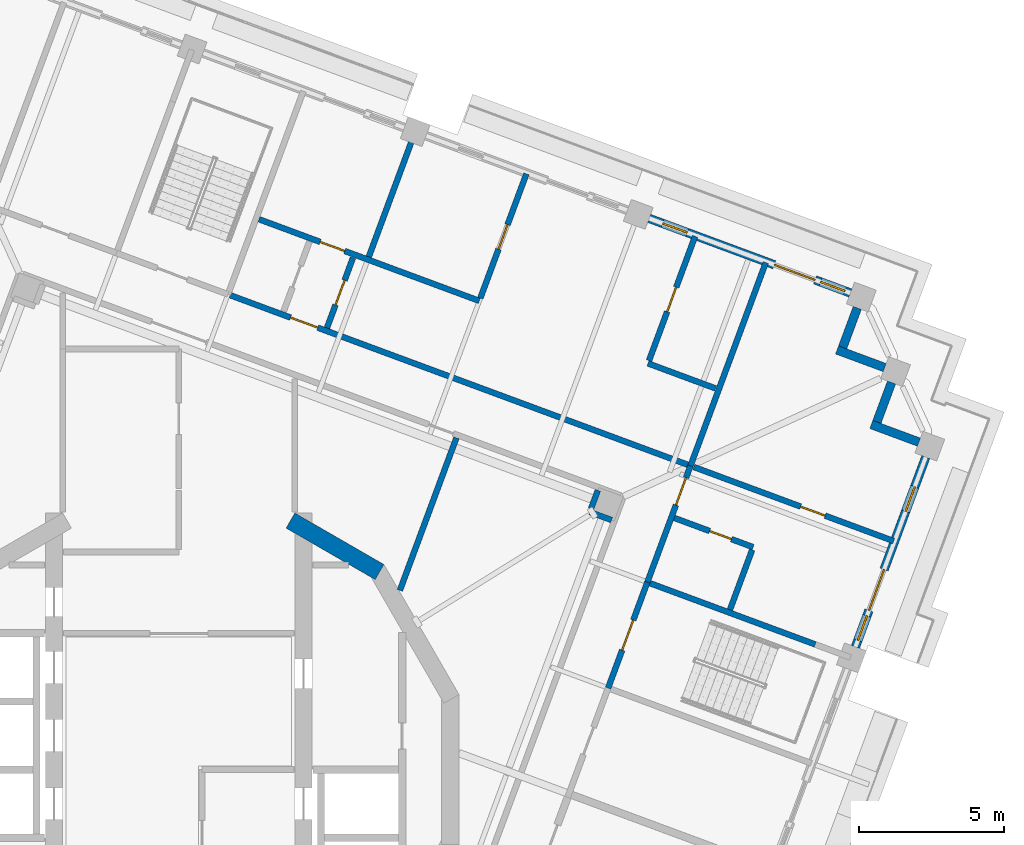
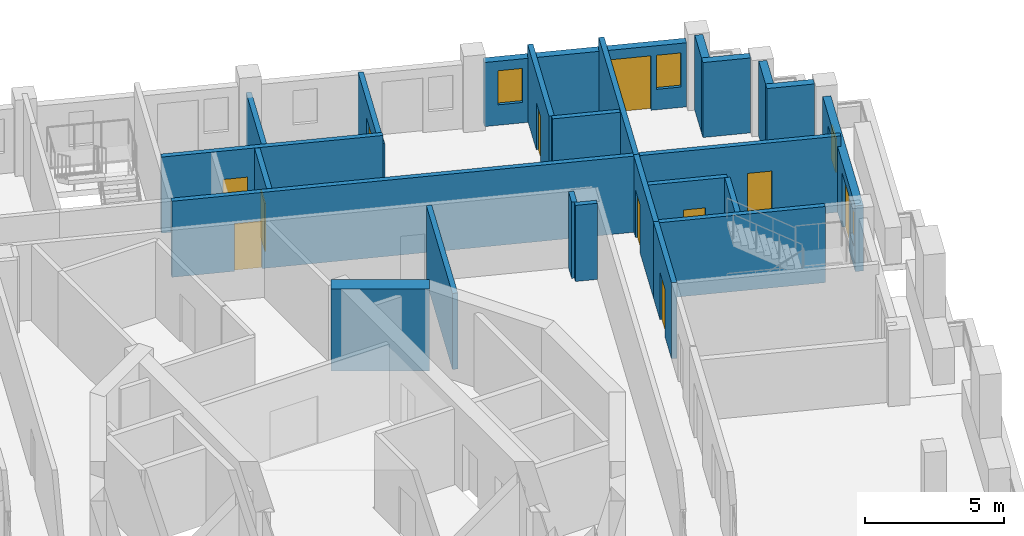
# One storey, part 9 of 19: 24 walls, 11 doors, 4 windows, 15 openings.
"""IFC4 building model written with IfcOpenShell, lengths in metres."""

from ifc_helpers import new_model, si_unit, direction, frame, frame_2d, origin, place, context, subcontext, project, spatial, rectangle, extrude, material, layer, layer_set, type_object, element, fill, save


model = new_model("IFC4")

# Units and contexts
model_context = context("Model", 3, precision=1e-05, world=origin(), true_north=direction((0.0, 1.0)))
body_context = subcontext(model_context, "Body", "Model", "MODEL_VIEW")
ifc_project = project(units=[si_unit("LENGTHUNIT", "METRE"), si_unit("AREAUNIT", "SQUARE_METRE"), si_unit("VOLUMEUNIT", "CUBIC_METRE"), si_unit("PLANEANGLEUNIT", "RADIAN"), si_unit("MASSUNIT", "GRAM", prefix="KILO")], contexts=[model_context])

# Site, building, storey
site_placement = place(None, origin())
site = spatial("IfcSite", under=ifc_project, at=site_placement, CompositionType="ELEMENT")
building_placement = place(site_placement, origin())
building = spatial("IfcBuilding", under=site, at=building_placement, Name="Cantera Rosa Tower", CompositionType="ELEMENT")
storey_placement = place(building_placement, frame((0.0, 0.0, 327.699951171875)))
storey = spatial("IfcBuildingStorey", under=building, at=storey_placement, Name="L73", CompositionType="ELEMENT", Elevation=327.699951171875)

# Wall, opening, door
ifc_material_1 = material(Name="Gypsum board partition")
ifc_layer_1 = layer(ifc_material_1, 0.199951171875)
ifc_layer_set_1 = layer_set([ifc_layer_1], Name="CORRIDOR WALL 200 H3350")
wall_type_1 = type_object("IfcWallType", Name="CORRIDOR WALL 200 H3350", PredefinedType="PARTITIONING", material=ifc_layer_set_1)
wall_1_placement = place(storey_placement, frame((16.1513671875, 6.460205078125, 0.0), z_axis=(0.0, 0.0, 1.0), x_axis=(0.347438825371, 0.937702651497, 0.0)))
wall_1 = element("IfcWall", 1, at=wall_1_placement, inside=storey, type_object=wall_type_1, Name="CORRIDOR WALL L73-106", PredefinedType="PARTITIONING", context=body_context, shape_type="SweptSolid", body=[
    extrude(rectangle(XDim=4.280029296875, YDim=0.199951171875, at=frame_2d((2.14013671875, 0.0))), origin(), (0.0, 0.0, 1.0), 3.35009765625),
])
opening_1_placement = place(wall_1_placement, frame((2.840087890625, 0.0, 0.0)))
opening_1 = element("IfcOpeningElement", 2, at=opening_1_placement, cuts=wall_1, Name="Opening L73-049", PredefinedType="OPENING", context=body_context, shape_type="SweptSolid", body=[
    extrude(rectangle(XDim=1.0, YDim=2.10009765625, at=frame_2d((0.5, 1.050048828125))), frame((0.0, 0.10986328125, 0.0), z_axis=(0.0, -1.0, 0.0), x_axis=(1.0, 0.0, 0.0)), (0.0, 0.0, 1.0), 0.219970703125),
])
ifc_material_2 = material(Name="Timber door leaf", Category="wood")
door_type_1 = type_object("IfcDoorType", Name="ENTRANCE DOOR 1000x2100", OperationType="NOTDEFINED", PredefinedType="DOOR", material=ifc_material_2)
door_1_placement = place(opening_1_placement, origin())
door_1 = element("IfcDoor", 3, at=door_1_placement, inside=storey, type_object=door_type_1, Name="DOOR L73-049", OperationType="NOTDEFINED", OverallHeight=2.10009765625, OverallWidth=1.0, PredefinedType="DOOR", context=body_context, shape_type="SweptSolid", body=[
    extrude(rectangle(XDim=1.0, YDim=2.10009765625, at=frame_2d((0.5, 1.050048828125))), frame((0.0, 0.02490234375, 0.0), z_axis=(0.0, -1.0, 0.0), x_axis=(1.0, 0.0, 0.0)), (0.0, 0.0, 1.0), 0.050048828125),
])
fill(opening_1, door_1)

wall_2_placement = place(storey_placement, frame((17.544677734375, 10.50830078125, 0.0), z_axis=(0.0, 0.0, 1.0), x_axis=(-0.937684617113, 0.347487494493, 0.0)))
wall_2 = element("IfcWall", 4, at=wall_2_placement, inside=storey, type_object=wall_type_1, Name="CORRIDOR WALL L73-109", PredefinedType="PARTITIONING", context=body_context, shape_type="SweptSolid", body=[
    extrude(rectangle(XDim=16.900146484375, YDim=0.199951171875, at=frame_2d((8.4501953125, 0.0))), origin(), (0.0, 0.0, 1.0), 3.35009765625),
])
opening_2_placement = place(wall_2_placement, frame((13.60009765625, 0.0, 0.0)))
opening_2 = element("IfcOpeningElement", 5, at=opening_2_placement, cuts=wall_2, Name="Opening L73-021", PredefinedType="OPENING", context=body_context, shape_type="SweptSolid", body=[
    extrude(rectangle(XDim=1.0, YDim=2.10009765625, at=frame_2d((0.5, 1.050048828125))), frame((0.0, 0.10986328125, 0.0), z_axis=(0.0, -1.0, 0.0), x_axis=(1.0, 0.0, 0.0)), (0.0, 0.0, 1.0), 0.219970703125),
])
door_2_placement = place(opening_2_placement, origin())
door_2 = element("IfcDoor", 6, at=door_2_placement, inside=storey, type_object=door_type_1, Name="DOOR L73-021", OperationType="NOTDEFINED", OverallHeight=2.10009765625, OverallWidth=1.0, PredefinedType="DOOR", context=body_context, shape_type="SweptSolid", body=[
    extrude(rectangle(XDim=1.0, YDim=2.10009765625, at=frame_2d((0.5, 1.050048828125))), frame((0.0, 0.02490234375, 0.0), z_axis=(0.0, -1.0, 0.0), x_axis=(1.0, 0.0, 0.0)), (0.0, 0.0, 1.0), 0.050048828125),
])
fill(opening_2, door_2)

# Walls
ifc_material_3 = material(Name="Hollow clay masonry with cantera stone cladding", Category="masonry")
ifc_layer_2 = layer(ifc_material_3, 0.300048828125)
ifc_layer_set_2 = layer_set([ifc_layer_2], Name="EW-LOGGIA 300")
wall_type_2 = type_object("IfcWallType", Name="EW-LOGGIA 300", PredefinedType="SOLIDWALL", material=ifc_layer_set_2)
wall_3_placement = place(storey_placement, frame((25.51220703125, 11.288330078125, 0.0), z_axis=(0.0, 0.0, 1.0), x_axis=(-0.937669639538, 0.34752790836, 0.0)))
element("IfcWall", 7, at=wall_3_placement, inside=storey, type_object=wall_type_2, Name="EN-L73-W25a", PredefinedType="SOLIDWALL", context=body_context, shape_type="SweptSolid", body=[
    extrude(rectangle(XDim=1.75, YDim=0.300048828125, at=frame_2d((0.875, 0.0))), origin(), (0.0, 0.0, 1.0), 3.300048828125),
])
wall_4_placement = place(storey_placement, frame((24.06396484375, 11.985107421875, 0.0), z_axis=(0.0, 0.0, 1.0), x_axis=(0.347522732201, 0.937671557958, 0.0)))
element("IfcWall", 8, at=wall_4_placement, inside=storey, type_object=wall_type_2, Name="EN-L73-W25b", PredefinedType="SOLIDWALL", context=body_context, shape_type="SweptSolid", body=[
    extrude(rectangle(XDim=1.449951171875, YDim=0.300048828125, at=frame_2d((0.72509765625, 0.0))), origin(), (0.0, 0.0, 1.0), 3.300048828125),
])
wall_5_placement = place(storey_placement, frame((24.331787109375, 13.858642578125, 0.0), z_axis=(0.0, 0.0, 1.0), x_axis=(-0.937669639538, 0.34752790836, 0.0)))
element("IfcWall", 9, at=wall_5_placement, inside=storey, type_object=wall_type_2, Name="EN-L73-W26a", PredefinedType="SOLIDWALL", context=body_context, shape_type="SweptSolid", body=[
    extrude(rectangle(XDim=1.75, YDim=0.300048828125, at=frame_2d((0.875, 0.0))), origin(), (0.0, 0.0, 1.0), 3.300048828125),
])
wall_6_placement = place(storey_placement, frame((22.883544921875, 14.555419921875, 0.0), z_axis=(0.0, 0.0, 1.0), x_axis=(0.347522732201, 0.937671557958, 0.0)))
element("IfcWall", 10, at=wall_6_placement, inside=storey, type_object=wall_type_2, Name="EN-L73-W26b", PredefinedType="SOLIDWALL", context=body_context, shape_type="SweptSolid", body=[
    extrude(rectangle(XDim=1.449951171875, YDim=0.300048828125, at=frame_2d((0.72509765625, 0.0))), origin(), (0.0, 0.0, 1.0), 3.300048828125),
])

# Wall, openings, windows, door
ifc_material_4 = material(Name="Hollow clay masonry with cantera stone cladding", Category="masonry")
ifc_layer_3 = layer(ifc_material_4, 0.300048828125)
ifc_layer_set_3 = layer_set([ifc_layer_3], Name="EW-LOGGIA 300 H2820")
wall_type_3 = type_object("IfcWallType", Name="EW-LOGGIA 300 H2820", PredefinedType="SOLIDWALL", material=ifc_layer_set_3)
wall_7_placement = place(storey_placement, frame((23.1513671875, 16.428955078125, 0.0), z_axis=(0.0, 0.0, 1.0), x_axis=(-0.937676706507, 0.347508840281, 0.0)))
wall_7 = element("IfcWall", 11, at=wall_7_placement, inside=storey, type_object=wall_type_3, Name="EN-L73-W01", PredefinedType="SOLIDWALL", context=body_context, shape_type="SweptSolid", body=[
    extrude(rectangle(XDim=7.39990234375, YDim=0.300048828125, at=frame_2d((3.699951171875, 0.0))), origin(), (0.0, 0.0, 1.0), 2.820068359375),
])
opening_3_placement = place(wall_7_placement, frame((0.199951171875, 0.0, 0.89990234375)))
opening_3 = element("IfcOpeningElement", 12, at=opening_3_placement, cuts=wall_7, Name="Opening L73-W01", PredefinedType="OPENING", context=body_context, shape_type="SweptSolid", body=[
    extrude(rectangle(XDim=0.89990234375, YDim=1.5, at=frame_2d((0.449951171875, 0.75))), frame((0.0, 0.159912109375, 0.0), z_axis=(0.0, -1.0, 0.0), x_axis=(1.0, 0.0, 0.0)), (0.0, 0.0, 1.0), 0.320068359375),
])
opening_4_placement = place(wall_7_placement, frame((1.300048828125, 0.0, 0.0)))
opening_4 = element("IfcOpeningElement", 13, at=opening_4_placement, cuts=wall_7, Name="Opening L73-TD02", PredefinedType="OPENING", context=body_context, shape_type="SweptSolid", body=[
    extrude(rectangle(XDim=1.5, YDim=2.39990234375, at=frame_2d((0.75, 1.199951171875))), frame((0.0, 0.159912109375, 0.0), z_axis=(0.0, -1.0, 0.0), x_axis=(1.0, 0.0, 0.0)), (0.0, 0.0, 1.0), 0.320068359375),
])
opening_5_placement = place(wall_7_placement, frame((6.0, 0.0, 0.89990234375)))
opening_5 = element("IfcOpeningElement", 14, at=opening_5_placement, cuts=wall_7, Name="Opening L73-W03", PredefinedType="OPENING", context=body_context, shape_type="SweptSolid", body=[
    extrude(rectangle(XDim=0.89990234375, YDim=1.5, at=frame_2d((0.449951171875, 0.75))), frame((0.0, 0.159912109375, 0.0), z_axis=(0.0, -1.0, 0.0), x_axis=(1.0, 0.0, 0.0)), (0.0, 0.0, 1.0), 0.320068359375),
])
ifc_material_5 = material(Name="Aluminium frame with clear glass", Category="aluminium")
window_type = type_object("IfcWindowType", Name="Residential window 900x1500", PartitioningType="SINGLE_PANEL", PredefinedType="WINDOW", material=ifc_material_5)
window_1_placement = place(opening_3_placement, origin())
window_1 = element("IfcWindow", 15, at=window_1_placement, inside=storey, type_object=window_type, Name="WINDOW L73-W01", OverallHeight=1.5, OverallWidth=0.89990234375, PartitioningType="SINGLE_PANEL", PredefinedType="WINDOW", context=body_context, shape_type="SweptSolid", body=[
    extrude(rectangle(XDim=0.89990234375, YDim=1.5, at=frame_2d((0.449951171875, 0.75))), frame((0.0, 0.030029296875, 0.0), z_axis=(0.0, -1.0, 0.0), x_axis=(1.0, 0.0, 0.0)), (0.0, 0.0, 1.0), 0.06005859375),
])
fill(opening_3, window_1)
window_2_placement = place(opening_5_placement, origin())
window_2 = element("IfcWindow", 16, at=window_2_placement, inside=storey, type_object=window_type, Name="WINDOW L73-W03", OverallHeight=1.5, OverallWidth=0.89990234375, PartitioningType="SINGLE_PANEL", PredefinedType="WINDOW", context=body_context, shape_type="SweptSolid", body=[
    extrude(rectangle(XDim=0.89990234375, YDim=1.5, at=frame_2d((0.449951171875, 0.75))), frame((0.0, 0.030029296875, 0.0), z_axis=(0.0, -1.0, 0.0), x_axis=(1.0, 0.0, 0.0)), (0.0, 0.0, 1.0), 0.06005859375),
])
fill(opening_5, window_2)
ifc_material_6 = material(Name="Aluminium frame with clear glass", Category="aluminium")
door_type_2 = type_object("IfcDoorType", Name="TD-R 1500x2400", OperationType="NOTDEFINED", PredefinedType="DOOR", material=ifc_material_6)
door_3_placement = place(opening_4_placement, origin())
door_3 = element("IfcDoor", 17, at=door_3_placement, inside=storey, type_object=door_type_2, Name="LOGGIA DOOR L73-TD02", OperationType="SLIDING_TO_LEFT", OverallHeight=2.39990234375, OverallWidth=1.5, PredefinedType="DOOR", context=body_context, shape_type="SweptSolid", body=[
    extrude(rectangle(XDim=1.5, YDim=2.39990234375, at=frame_2d((0.75, 1.199951171875))), frame((0.0, 0.02490234375, 0.0), z_axis=(0.0, -1.0, 0.0), x_axis=(1.0, 0.0, 0.0)), (0.0, 0.0, 1.0), 0.050048828125),
])
fill(opening_4, door_3)

ifc_material_7 = material(Name="Hollow clay masonry with cantera stone cladding", Category="masonry")
ifc_layer_4 = layer(ifc_material_7, 0.300048828125)
ifc_layer_set_4 = layer_set([ifc_layer_4], Name="EW-LOGGIA 300 H2890")
wall_type_4 = type_object("IfcWallType", Name="EW-LOGGIA 300 H2890", PredefinedType="SOLIDWALL", material=ifc_layer_set_4)
wall_8_placement = place(storey_placement, frame((23.322998046875, 4.229248046875, 0.0), z_axis=(0.0, 0.0, 1.0), x_axis=(0.347460165909, 0.937694744097, 0.0)))
wall_8 = element("IfcWall", 18, at=wall_8_placement, inside=storey, type_object=wall_type_4, Name="EN-L73-W24", PredefinedType="SOLIDWALL", context=body_context, shape_type="SweptSolid", body=[
    extrude(rectangle(XDim=6.97998046875, YDim=0.300048828125, at=frame_2d((3.489990234375, 0.0))), origin(), (0.0, 0.0, 1.0), 2.89013671875),
])
opening_6_placement = place(wall_8_placement, frame((0.2451171875, 0.0, 0.89990234375)))
opening_6 = element("IfcOpeningElement", 19, at=opening_6_placement, cuts=wall_8, Name="Opening L73-W46", PredefinedType="OPENING", context=body_context, shape_type="SweptSolid", body=[
    extrude(rectangle(XDim=0.89990234375, YDim=1.5, at=frame_2d((0.449951171875, 0.75))), frame((0.0, 0.159912109375, 0.0), z_axis=(0.0, -1.0, 0.0), x_axis=(1.0, 0.0, 0.0)), (0.0, 0.0, 1.0), 0.320068359375),
])
opening_7_placement = place(wall_8_placement, frame((1.344970703125, 0.0, 0.0)))
opening_7 = element("IfcOpeningElement", 20, at=opening_7_placement, cuts=wall_8, Name="Opening L73-TD47", PredefinedType="OPENING", context=body_context, shape_type="SweptSolid", body=[
    extrude(rectangle(XDim=1.5, YDim=2.39990234375, at=frame_2d((0.75, 1.199951171875))), frame((0.0, 0.159912109375, 0.0), z_axis=(0.0, -1.0, 0.0), x_axis=(1.0, 0.0, 0.0)), (0.0, 0.0, 1.0), 0.320068359375),
])
opening_8_placement = place(wall_8_placement, frame((4.985107421875, 0.0, 0.89990234375)))
opening_8 = element("IfcOpeningElement", 21, at=opening_8_placement, cuts=wall_8, Name="Opening L73-W48", PredefinedType="OPENING", context=body_context, shape_type="SweptSolid", body=[
    extrude(rectangle(XDim=0.89990234375, YDim=1.5, at=frame_2d((0.449951171875, 0.75))), frame((0.0, 0.159912109375, 0.0), z_axis=(0.0, -1.0, 0.0), x_axis=(1.0, 0.0, 0.0)), (0.0, 0.0, 1.0), 0.320068359375),
])
window_3_placement = place(opening_6_placement, origin())
window_3 = element("IfcWindow", 22, at=window_3_placement, inside=storey, type_object=window_type, Name="WINDOW L73-W46", OverallHeight=1.5, OverallWidth=0.89990234375, PartitioningType="SINGLE_PANEL", PredefinedType="WINDOW", context=body_context, shape_type="SweptSolid", body=[
    extrude(rectangle(XDim=0.89990234375, YDim=1.5, at=frame_2d((0.449951171875, 0.75))), frame((0.0, 0.030029296875, 0.0), z_axis=(0.0, -1.0, 0.0), x_axis=(1.0, 0.0, 0.0)), (0.0, 0.0, 1.0), 0.06005859375),
])
fill(opening_6, window_3)
window_4_placement = place(opening_8_placement, origin())
window_4 = element("IfcWindow", 23, at=window_4_placement, inside=storey, type_object=window_type, Name="WINDOW L73-W48", OverallHeight=1.5, OverallWidth=0.89990234375, PartitioningType="SINGLE_PANEL", PredefinedType="WINDOW", context=body_context, shape_type="SweptSolid", body=[
    extrude(rectangle(XDim=0.89990234375, YDim=1.5, at=frame_2d((0.449951171875, 0.75))), frame((0.0, 0.030029296875, 0.0), z_axis=(0.0, -1.0, 0.0), x_axis=(1.0, 0.0, 0.0)), (0.0, 0.0, 1.0), 0.06005859375),
])
fill(opening_8, window_4)
door_4_placement = place(opening_7_placement, origin())
door_4 = element("IfcDoor", 24, at=door_4_placement, inside=storey, type_object=door_type_2, Name="LOGGIA DOOR L73-TD47", OperationType="SLIDING_TO_LEFT", OverallHeight=2.39990234375, OverallWidth=1.5, PredefinedType="DOOR", context=body_context, shape_type="SweptSolid", body=[
    extrude(rectangle(XDim=1.5, YDim=2.39990234375, at=frame_2d((0.75, 1.199951171875))), frame((0.0, 0.02490234375, 0.0), z_axis=(0.0, -1.0, 0.0), x_axis=(1.0, 0.0, 0.0)), (0.0, 0.0, 1.0), 0.050048828125),
])
fill(opening_7, door_4)

# Wall
ifc_material_8 = material(Name="Gypsum board partition")
ifc_layer_5 = layer(ifc_material_8, 0.199951171875)
ifc_layer_set_5 = layer_set([ifc_layer_5], Name="PARTITION 200 H2450")
wall_type_5 = type_object("IfcWallType", Name="PARTITION 200 H2450", PredefinedType="PARTITIONING", material=ifc_layer_set_5)
wall_9_placement = place(storey_placement, frame((8.137939453125, 21.960693359375, 0.0), z_axis=(0.0, 0.0, 1.0), x_axis=(-0.347450063389, -0.937698487495, 0.0)))
element("IfcWall", 25, at=wall_9_placement, inside=storey, type_object=wall_type_5, Name="PARTITION L73-097", PredefinedType="PARTITIONING", context=body_context, shape_type="SweptSolid", body=[
    extrude(rectangle(XDim=4.570068359375, YDim=0.199951171875, at=frame_2d((2.28515625, 0.0))), origin(), (0.0, 0.0, 1.0), 2.449951171875),
])

# Wall, opening, door
ifc_material_9 = material(Name="Gypsum board partition")
ifc_layer_6 = layer(ifc_material_9, 0.199951171875)
ifc_layer_set_6 = layer_set([ifc_layer_6], Name="PARTITION 200 H2850")
wall_type_6 = type_object("IfcWallType", Name="PARTITION 200 H2850", PredefinedType="PARTITIONING", material=ifc_layer_set_6)
wall_10_placement = place(storey_placement, frame((11.982421875, 20.535888671875, 0.0), z_axis=(0.0, 0.0, 1.0), x_axis=(-0.347467468938, -0.937692037947, 0.0)))
wall_10 = element("IfcWall", 26, at=wall_10_placement, inside=storey, type_object=wall_type_6, Name="PARTITION L73-100", PredefinedType="PARTITIONING", context=body_context, shape_type="SweptSolid", body=[
    extrude(rectangle(XDim=4.56982421875, YDim=0.199951171875, at=frame_2d((2.284912109375, 0.0))), origin(), (0.0, 0.0, 1.0), 2.85009765625),
])
opening_9_placement = place(wall_10_placement, frame((1.8701171875, 0.0, 0.0)))
opening_9 = element("IfcOpeningElement", 27, at=opening_9_placement, cuts=wall_10, Name="Opening L73-025", PredefinedType="OPENING", context=body_context, shape_type="SweptSolid", body=[
    extrude(rectangle(XDim=0.89990234375, YDim=2.10009765625, at=frame_2d((0.449951171875, 1.050048828125))), frame((0.0, 0.10986328125, 0.0), z_axis=(0.0, -1.0, 0.0), x_axis=(1.0, 0.0, 0.0)), (0.0, 0.0, 1.0), 0.219970703125),
])
ifc_material_10 = material(Name="Timber door leaf", Category="wood")
door_type_3 = type_object("IfcDoorType", Name="ROOM DOOR 900x2100", OperationType="NOTDEFINED", PredefinedType="DOOR", material=ifc_material_10)
door_5_placement = place(opening_9_placement, origin())
door_5 = element("IfcDoor", 28, at=door_5_placement, inside=storey, type_object=door_type_3, Name="DOOR L73-025", OperationType="NOTDEFINED", OverallHeight=2.10009765625, OverallWidth=0.89990234375, PredefinedType="DOOR", context=body_context, shape_type="SweptSolid", body=[
    extrude(rectangle(XDim=0.89990234375, YDim=2.10009765625, at=frame_2d((0.449951171875, 1.050048828125))), frame((0.0, 0.02490234375, 0.0), z_axis=(0.0, -1.0, 0.0), x_axis=(1.0, 0.0, 0.0)), (0.0, 0.0, 1.0), 0.050048828125),
])
fill(opening_9, door_5)

ifc_material_11 = material(Name="Gypsum board partition")
ifc_layer_7 = layer(ifc_material_11, 0.199951171875)
ifc_layer_set_7 = layer_set([ifc_layer_7], Name="PARTITION 200 H3350")
wall_type_7 = type_object("IfcWallType", Name="PARTITION 200 H3350", PredefinedType="PARTITIONING", material=ifc_layer_set_7)
wall_11_placement = place(storey_placement, frame((2.764404296875, 18.9716796875, 0.0), z_axis=(0.0, 0.0, 1.0), x_axis=(0.937685847618, -0.347484173996, 0.0)))
wall_11 = element("IfcWall", 29, at=wall_11_placement, inside=storey, type_object=wall_type_7, Name="PARTITION L73-073", PredefinedType="PARTITIONING", context=body_context, shape_type="SweptSolid", body=[
    extrude(rectangle(XDim=8.10009765625, YDim=0.199951171875, at=frame_2d((4.050048828125, 0.0))), origin(), (0.0, 0.0, 1.0), 3.35009765625),
])
opening_10_placement = place(wall_11_placement, frame((2.25, 0.0, 0.0)))
opening_10 = element("IfcOpeningElement", 30, at=opening_10_placement, cuts=wall_11, Name="Opening L73-024", PredefinedType="OPENING", context=body_context, shape_type="SweptSolid", body=[
    extrude(rectangle(XDim=0.89990234375, YDim=2.10009765625, at=frame_2d((0.449951171875, 1.050048828125))), frame((0.0, 0.10986328125, 0.0), z_axis=(0.0, -1.0, 0.0), x_axis=(1.0, 0.0, 0.0)), (0.0, 0.0, 1.0), 0.219970703125),
])
door_6_placement = place(opening_10_placement, origin())
door_6 = element("IfcDoor", 31, at=door_6_placement, inside=storey, type_object=door_type_3, Name="DOOR L73-024", OperationType="NOTDEFINED", OverallHeight=2.10009765625, OverallWidth=0.89990234375, PredefinedType="DOOR", context=body_context, shape_type="SweptSolid", body=[
    extrude(rectangle(XDim=0.89990234375, YDim=2.10009765625, at=frame_2d((0.449951171875, 1.050048828125))), frame((0.0, 0.02490234375, 0.0), z_axis=(0.0, -1.0, 0.0), x_axis=(1.0, 0.0, 0.0)), (0.0, 0.0, 1.0), 0.050048828125),
])
fill(opening_10, door_6)

wall_12_placement = place(storey_placement, frame((6.004638671875, 17.642822265625, 0.0), z_axis=(0.0, 0.0, 1.0), x_axis=(-0.34748078016, -0.937687105286, 0.0)))
wall_12 = element("IfcWall", 32, at=wall_12_placement, inside=storey, type_object=wall_type_7, Name="PARTITION L73-088", PredefinedType="PARTITIONING", context=body_context, shape_type="SweptSolid", body=[
    extrude(rectangle(XDim=2.579833984375, YDim=0.199951171875, at=frame_2d((1.2900390625, 0.0))), origin(), (0.0, 0.0, 1.0), 3.35009765625),
])
opening_11_placement = place(wall_12_placement, frame((0.830078125, 0.0, 0.0)))
opening_11 = element("IfcOpeningElement", 33, at=opening_11_placement, cuts=wall_12, Name="Opening L73-023", PredefinedType="OPENING", context=body_context, shape_type="SweptSolid", body=[
    extrude(rectangle(XDim=0.89990234375, YDim=2.10009765625, at=frame_2d((0.449951171875, 1.050048828125))), frame((0.0, 0.10986328125, 0.0), z_axis=(0.0, -1.0, 0.0), x_axis=(1.0, 0.0, 0.0)), (0.0, 0.0, 1.0), 0.219970703125),
])
door_7_placement = place(opening_11_placement, origin())
door_7 = element("IfcDoor", 34, at=door_7_placement, inside=storey, type_object=door_type_3, Name="DOOR L73-023", OperationType="NOTDEFINED", OverallHeight=2.10009765625, OverallWidth=0.89990234375, PredefinedType="DOOR", context=body_context, shape_type="SweptSolid", body=[
    extrude(rectangle(XDim=0.89990234375, YDim=2.10009765625, at=frame_2d((0.449951171875, 1.050048828125))), frame((0.0, 0.02490234375, 0.0), z_axis=(0.0, -1.0, 0.0), x_axis=(1.0, 0.0, 0.0)), (0.0, 0.0, 1.0), 0.050048828125),
])
fill(opening_11, door_7)

# Walls
wall_13_placement = place(storey_placement, frame((7.62158203125, 6.177490234375, 0.0), z_axis=(0.0, 0.0, 1.0), x_axis=(0.34747170774, 0.937690467223, 0.0)))
element("IfcWall", 35, at=wall_13_placement, inside=storey, type_object=wall_type_7, Name="PARTITION L73-092", PredefinedType="PARTITIONING", context=body_context, shape_type="SweptSolid", body=[
    extrude(rectangle(XDim=5.609130859375, YDim=0.199951171875, at=frame_2d((2.8046875, 0.0))), origin(), (0.0, 0.0, 1.0), 3.35009765625),
])
wall_14_placement = place(storey_placement, frame((14.16845703125, 8.8798828125, 0.0), z_axis=(0.0, 0.0, 1.0), x_axis=(0.937763484234, -0.347274599759, 0.0)))
element("IfcWall", 36, at=wall_14_placement, inside=storey, type_object=wall_type_7, Name="PARTITION L73-101", PredefinedType="PARTITIONING", context=body_context, shape_type="SweptSolid", body=[
    extrude(rectangle(XDim=0.800048828125, YDim=0.199951171875, at=frame_2d((0.39990234375, 0.0))), origin(), (0.0, 0.0, 1.0), 3.35009765625),
])
wall_15_placement = place(storey_placement, frame((14.446533203125, 9.630126953125, 0.0), z_axis=(0.0, 0.0, 1.0), x_axis=(-0.347618433082, -0.937636083447, 0.0)))
element("IfcWall", 37, at=wall_15_placement, inside=storey, type_object=wall_type_7, Name="PARTITION L73-102", PredefinedType="PARTITIONING", context=body_context, shape_type="SweptSolid", body=[
    extrude(rectangle(XDim=0.679931640625, YDim=0.199951171875, at=frame_2d((0.33984375, 0.0))), origin(), (0.0, 0.0, 1.0), 3.35009765625),
])
wall_16_placement = place(storey_placement, frame((16.17333984375, 14.002685546875, 0.0), z_axis=(0.0, 0.0, 1.0), x_axis=(0.937677490933, -0.347506723674, 0.0)))
element("IfcWall", 38, at=wall_16_placement, inside=storey, type_object=wall_type_7, Name="PARTITION L73-107", PredefinedType="PARTITIONING", context=body_context, shape_type="SweptSolid", body=[
    extrude(rectangle(XDim=2.47998046875, YDim=0.199951171875, at=frame_2d((1.239990234375, 0.0))), origin(), (0.0, 0.0, 1.0), 3.35009765625),
])

# Wall, opening, door
wall_17_placement = place(storey_placement, frame((17.0791015625, 8.676025390625, 0.0), z_axis=(0.0, 0.0, 1.0), x_axis=(0.937671557958, -0.347522732201, 0.0)))
wall_17 = element("IfcWall", 39, at=wall_17_placement, inside=storey, type_object=wall_type_7, Name="PARTITION L73-108", PredefinedType="PARTITIONING", context=body_context, shape_type="SweptSolid", body=[
    extrude(rectangle(XDim=2.89990234375, YDim=0.199951171875, at=frame_2d((1.449951171875, 0.0))), origin(), (0.0, 0.0, 1.0), 3.35009765625),
])
opening_12_placement = place(wall_17_placement, frame((1.300048828125, 0.0, 0.0)))
opening_12 = element("IfcOpeningElement", 40, at=opening_12_placement, cuts=wall_17, Name="Opening L73-050", PredefinedType="OPENING", context=body_context, shape_type="SweptSolid", body=[
    extrude(rectangle(XDim=0.800048828125, YDim=2.10009765625, at=frame_2d((0.39990234375, 1.050048828125))), frame((0.0, 0.10986328125, 0.0), z_axis=(0.0, -1.0, 0.0), x_axis=(1.0, 0.0, 0.0)), (0.0, 0.0, 1.0), 0.219970703125),
])
ifc_material_12 = material(Name="Timber door leaf", Category="wood")
door_type_4 = type_object("IfcDoorType", Name="BATHROOM DOOR 800x2100", OperationType="NOTDEFINED", PredefinedType="DOOR", material=ifc_material_12)
door_8_placement = place(opening_12_placement, origin())
door_8 = element("IfcDoor", 41, at=door_8_placement, inside=storey, type_object=door_type_4, Name="DOOR L73-050", OperationType="NOTDEFINED", OverallHeight=2.10009765625, OverallWidth=0.800048828125, PredefinedType="DOOR", context=body_context, shape_type="SweptSolid", body=[
    extrude(rectangle(XDim=0.800048828125, YDim=2.10009765625, at=frame_2d((0.39990234375, 1.050048828125))), frame((0.0, 0.02490234375, 0.0), z_axis=(0.0, -1.0, 0.0), x_axis=(1.0, 0.0, 0.0)), (0.0, 0.0, 1.0), 0.050048828125),
])
fill(opening_12, door_8)

wall_18_placement = place(storey_placement, frame((17.796142578125, 18.381591796875, 0.0), z_axis=(0.0, 0.0, 1.0), x_axis=(-0.347450063389, -0.937698487495, 0.0)))
wall_18 = element("IfcWall", 42, at=wall_18_placement, inside=storey, type_object=wall_type_7, Name="PARTITION L73-110", PredefinedType="PARTITIONING", context=body_context, shape_type="SweptSolid", body=[
    extrude(rectangle(XDim=4.570068359375, YDim=0.199951171875, at=frame_2d((2.28515625, 0.0))), origin(), (0.0, 0.0, 1.0), 3.35009765625),
])
opening_13_placement = place(wall_18_placement, frame((1.8701171875, 0.0, 0.0)))
opening_13 = element("IfcOpeningElement", 43, at=opening_13_placement, cuts=wall_18, Name="Opening L73-026", PredefinedType="OPENING", context=body_context, shape_type="SweptSolid", body=[
    extrude(rectangle(XDim=0.89990234375, YDim=2.10009765625, at=frame_2d((0.449951171875, 1.050048828125))), frame((0.0, 0.10986328125, 0.0), z_axis=(0.0, -1.0, 0.0), x_axis=(1.0, 0.0, 0.0)), (0.0, 0.0, 1.0), 0.219970703125),
])
door_9_placement = place(opening_13_placement, origin())
door_9 = element("IfcDoor", 44, at=door_9_placement, inside=storey, type_object=door_type_3, Name="DOOR L73-026", OperationType="NOTDEFINED", OverallHeight=2.10009765625, OverallWidth=0.89990234375, PredefinedType="DOOR", context=body_context, shape_type="SweptSolid", body=[
    extrude(rectangle(XDim=0.89990234375, YDim=2.10009765625, at=frame_2d((0.449951171875, 1.050048828125))), frame((0.0, 0.02490234375, 0.0), z_axis=(0.0, -1.0, 0.0), x_axis=(1.0, 0.0, 0.0)), (0.0, 0.0, 1.0), 0.050048828125),
])
fill(opening_13, door_9)

# Wall
wall_19_placement = place(storey_placement, frame((19.763427734375, 7.574462890625, 0.0), z_axis=(0.0, 0.0, 1.0), x_axis=(-0.347484236727, -0.937685824371, 0.0)))
element("IfcWall", 45, at=wall_19_placement, inside=storey, type_object=wall_type_7, Name="PARTITION L73-111", PredefinedType="PARTITIONING", context=body_context, shape_type="SweptSolid", body=[
    extrude(rectangle(XDim=2.19970703125, YDim=0.199951171875, at=frame_2d((1.099853515625, 0.0))), origin(), (0.0, 0.0, 1.0), 3.35009765625),
])

# Wall, opening, door
wall_20_placement = place(storey_placement, frame((24.64306640625, 7.8779296875, 0.0), z_axis=(0.0, 0.0, 1.0), x_axis=(-0.937689847803, 0.347473379308, 0.0)))
wall_20 = element("IfcWall", 46, at=wall_20_placement, inside=storey, type_object=wall_type_7, Name="PARTITION L73-115", PredefinedType="PARTITIONING", context=body_context, shape_type="SweptSolid", body=[
    extrude(rectangle(XDim=7.35009765625, YDim=0.199951171875, at=frame_2d((3.675048828125, 0.0))), origin(), (0.0, 0.0, 1.0), 3.35009765625),
])
opening_14_placement = place(wall_20_placement, frame((2.52001953125, 0.0, 0.0)))
opening_14 = element("IfcOpeningElement", 47, at=opening_14_placement, cuts=wall_20, Name="Opening L73-051", PredefinedType="OPENING", context=body_context, shape_type="SweptSolid", body=[
    extrude(rectangle(XDim=0.89990234375, YDim=2.10009765625, at=frame_2d((0.449951171875, 1.050048828125))), frame((0.0, 0.10986328125, 0.0), z_axis=(0.0, -1.0, 0.0), x_axis=(1.0, 0.0, 0.0)), (0.0, 0.0, 1.0), 0.219970703125),
])
door_10_placement = place(opening_14_placement, origin())
door_10 = element("IfcDoor", 48, at=door_10_placement, inside=storey, type_object=door_type_3, Name="DOOR L73-051", OperationType="NOTDEFINED", OverallHeight=2.10009765625, OverallWidth=0.89990234375, PredefinedType="DOOR", context=body_context, shape_type="SweptSolid", body=[
    extrude(rectangle(XDim=0.89990234375, YDim=2.10009765625, at=frame_2d((0.449951171875, 1.050048828125))), frame((0.0, 0.02490234375, 0.0), z_axis=(0.0, -1.0, 0.0), x_axis=(1.0, 0.0, 0.0)), (0.0, 0.0, 1.0), 0.050048828125),
])
fill(opening_14, door_10)

# Walls
ifc_material_13 = material(Name="Gypsum board partition")
ifc_layer_8 = layer(ifc_material_13, 0.199951171875)
ifc_layer_set_8 = layer_set([ifc_layer_8], Name="PARTY WALL 200 H3350")
wall_type_8 = type_object("IfcWallType", Name="PARTY WALL 200 H3350", PredefinedType="PARTITIONING", material=ifc_layer_set_8)
wall_21_placement = place(storey_placement, frame((20.234130859375, 17.47802734375, 0.0), z_axis=(0.0, 0.0, 1.0), x_axis=(-0.347488923611, -0.937684087509, 0.0)))
element("IfcWall", 49, at=wall_21_placement, inside=storey, type_object=wall_type_8, Name="PARTY WALL L73-112", PredefinedType="PARTITIONING", context=body_context, shape_type="SweptSolid", body=[
    extrude(rectangle(XDim=7.469970703125, YDim=0.199951171875, at=frame_2d((3.73486328125, 0.0))), origin(), (0.0, 0.0, 1.0), 3.35009765625),
])
ifc_material_14 = material(Name="Concrete C50/60", Category="concrete")
ifc_layer_9 = layer(ifc_material_14, 0.60009765625)
ifc_layer_set_9 = layer_set([ifc_layer_9], Name="RC CORE WALL 600 C50/60")
wall_type_9 = type_object("IfcWallType", Name="RC CORE WALL 600 C50/60", PredefinedType="SHEAR", material=ifc_layer_set_9)
wall_22_placement = place(storey_placement, frame((3.85009765625, 8.584228515625, 0.0), z_axis=(0.0, 0.0, 1.0), x_axis=(0.866039982607, -0.499974747889, 0.0)))
element("IfcWall", 50, at=wall_22_placement, inside=storey, type_object=wall_type_9, Name="CW-E1 L73", PredefinedType="SHEAR", context=body_context, shape_type="SweptSolid", body=[
    extrude(rectangle(XDim=3.546142578125, YDim=0.60009765625, at=frame_2d((1.77294921875, 0.0))), origin(), (0.0, 0.0, 1.0), 3.60009765625),
])

# Wall, opening, door
ifc_material_15 = material(Name="Concrete C50/60", Category="concrete")
ifc_layer_10 = layer(ifc_material_15, 0.199951171875)
ifc_layer_set_10 = layer_set([ifc_layer_10], Name="STAIR WALL 200 H3350")
wall_type_10 = type_object("IfcWallType", Name="STAIR WALL 200 H3350", PredefinedType="SOLIDWALL", material=ifc_layer_set_10)
wall_23_placement = place(storey_placement, frame((16.1513671875, 6.460205078125, 0.0), z_axis=(0.0, 0.0, 1.0), x_axis=(-0.347516717491, -0.937673787126, 0.0)))
wall_23 = element("IfcWall", 51, at=wall_23_placement, inside=storey, type_object=wall_type_10, Name="STAIR WALL L73-105", PredefinedType="SOLIDWALL", context=body_context, shape_type="SweptSolid", body=[
    extrude(rectangle(XDim=3.889892578125, YDim=0.199951171875, at=frame_2d((1.94482421875, 0.0))), origin(), (0.0, 0.0, 1.0), 3.35009765625),
])
opening_15_placement = place(wall_23_placement, frame((1.39501953125, 0.0, 0.0)))
opening_15 = element("IfcOpeningElement", 52, at=opening_15_placement, cuts=wall_23, Name="Opening L73-001", PredefinedType="OPENING", context=body_context, shape_type="SweptSolid", body=[
    extrude(rectangle(XDim=1.10009765625, YDim=2.10009765625, at=frame_2d((0.550048828125, 1.050048828125))), frame((0.0, 0.10986328125, 0.0), z_axis=(0.0, -1.0, 0.0), x_axis=(1.0, 0.0, 0.0)), (0.0, 0.0, 1.0), 0.219970703125),
])
ifc_material_16 = material(Name="Steel S355J2 (EN 10025-2)", Category="steel")
door_type_5 = type_object("IfcDoorType", Name="STAIR DOOR 1100x2100", OperationType="NOTDEFINED", PredefinedType="DOOR", material=ifc_material_16)
door_11_placement = place(opening_15_placement, origin())
door_11 = element("IfcDoor", 53, at=door_11_placement, inside=storey, type_object=door_type_5, Name="DOOR L73-001", OperationType="NOTDEFINED", OverallHeight=2.10009765625, OverallWidth=1.10009765625, PredefinedType="DOOR", context=body_context, shape_type="SweptSolid", body=[
    extrude(rectangle(XDim=1.10009765625, YDim=2.10009765625, at=frame_2d((0.550048828125, 1.050048828125))), frame((0.0, 0.02490234375, 0.0), z_axis=(0.0, -1.0, 0.0), x_axis=(1.0, 0.0, 0.0)), (0.0, 0.0, 1.0), 0.050048828125),
])
fill(opening_15, door_11)

# Wall
wall_24_placement = place(storey_placement, frame((21.936767578125, 4.31640625, 0.0), z_axis=(0.0, 0.0, 1.0), x_axis=(-0.937692901762, 0.347465137797, 0.0)))
element("IfcWall", 54, at=wall_24_placement, inside=storey, type_object=wall_type_10, Name="STAIR WALL L73-114 J", PredefinedType="SOLIDWALL", context=body_context, shape_type="SweptSolid", body=[
    extrude(rectangle(XDim=6.169921875, YDim=0.199951171875, at=frame_2d((3.0849609375, 0.0))), origin(), (0.0, 0.0, 1.0), 3.35009765625),
])

save(model, "model.ifc")
